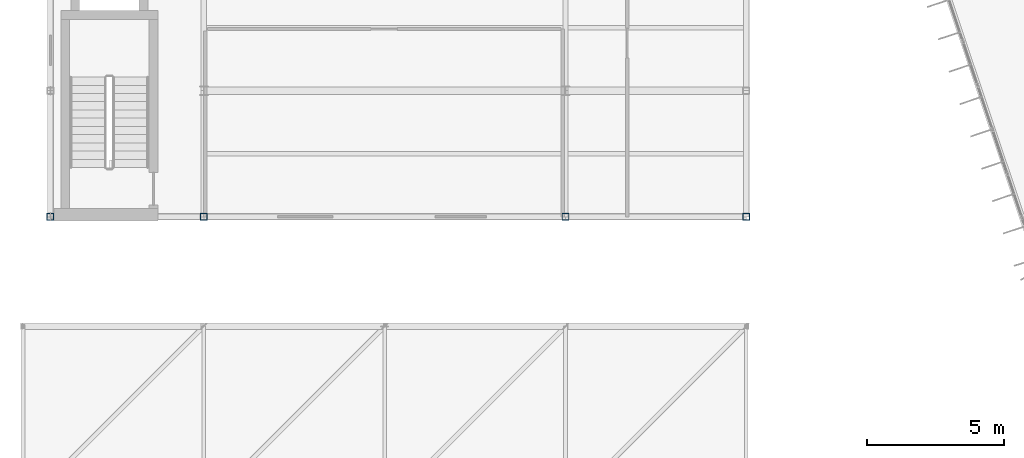
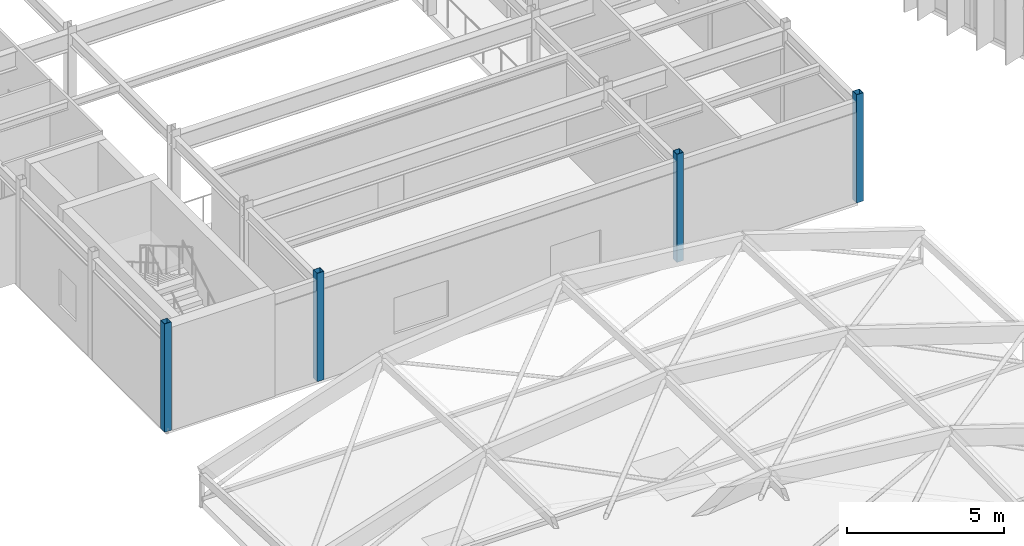
# One storey, part 1 of 157: 4 columns.
"""IFC4 building model written with IfcOpenShell, lengths in metres."""

from ifc_helpers import new_model, si_unit, direction, frame, origin, origin_2d, place, context, subcontext, project, spatial, hollow_rectangle, extrude, material, material_profile, profile_set, type_object, element, save


model = new_model("IFC4")

# Units and contexts
model_context = context("Model", 3, precision=1e-05, world=origin(), true_north=direction((0.0, 1.0)))
body_context = subcontext(model_context, "Body", "Model", "MODEL_VIEW")
ifc_project = project(units=[si_unit("LENGTHUNIT", "METRE"), si_unit("AREAUNIT", "SQUARE_METRE"), si_unit("VOLUMEUNIT", "CUBIC_METRE"), si_unit("PLANEANGLEUNIT", "RADIAN"), si_unit("MASSUNIT", "GRAM", prefix="KILO")], contexts=[model_context])

# Site, building, storey
site_placement = place(None, origin())
site = spatial("IfcSite", under=ifc_project, at=site_placement, CompositionType="ELEMENT")
building_placement = place(site_placement, origin())
building = spatial("IfcBuilding", under=site, at=building_placement, Name="Karori Crest Natural Sciences Institute", CompositionType="ELEMENT")
storey_placement = place(building_placement, frame((0.0, 0.0, 13.300048828125)))
storey = spatial("IfcBuildingStorey", under=building, at=storey_placement, Name="L03", CompositionType="ELEMENT", Elevation=13.300048828125)

# Columns
ifc_material = material(Name="Hollow structural steel AS/NZS 1163 Grade C350", Category="steel")
ifc_material_profile = material_profile(ifc_material, hollow_rectangle(XDim=0.25, YDim=0.25, WallThickness=0.012451171875, at=origin_2d()), Name="SHS250x250x12.5")
ifc_profile_set = profile_set([ifc_material_profile], Name="Hollow structural steel AS/NZS 1163 Grade C350")
column_type = type_object("IfcColumnType", Name="CT-12", PredefinedType="COLUMN", material=ifc_profile_set)
for number, where, z_axis, x_axis, name in (
    (1, (1.800048828125, 31.199951171875, 0.0), (0.0, 0.0, 1.0), (1.0, 0.0, 0.0), "Column C-0533"),
    (2, (7.39990234375, 31.199951171875, 0.0), (0.0, 0.0, 1.0), (1.0, 0.0, 0.0), "Column C-0578"),
    (3, (20.60009765625, 31.199951171875, 0.0), (0.0, 0.0, 1.0), (1.0, 0.0, 0.0), "Column C-0623"),
    (4, (27.199951171875, 31.199951171875, 0.0), (0.0, 0.0, 1.0), (1.0, 0.0, 0.0), "Column C-0668"),
):
    element("IfcColumn", number, at=place(storey_placement, frame(where, z_axis=z_axis, x_axis=x_axis)), inside=storey, type_object=column_type, Name=name, PredefinedType="COLUMN", context=body_context, shape_type="SweptSolid", body=[
        extrude(hollow_rectangle(XDim=0.25, YDim=0.25, WallThickness=0.012451171875, at=origin_2d()), origin(), (0.0, 0.0, 1.0), 4.199951171875),
    ])

save(model, "model.ifc")
